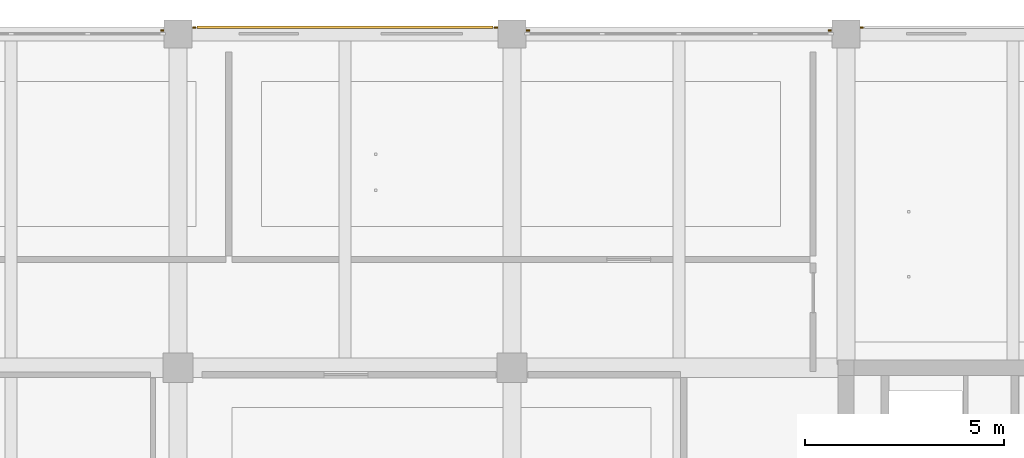
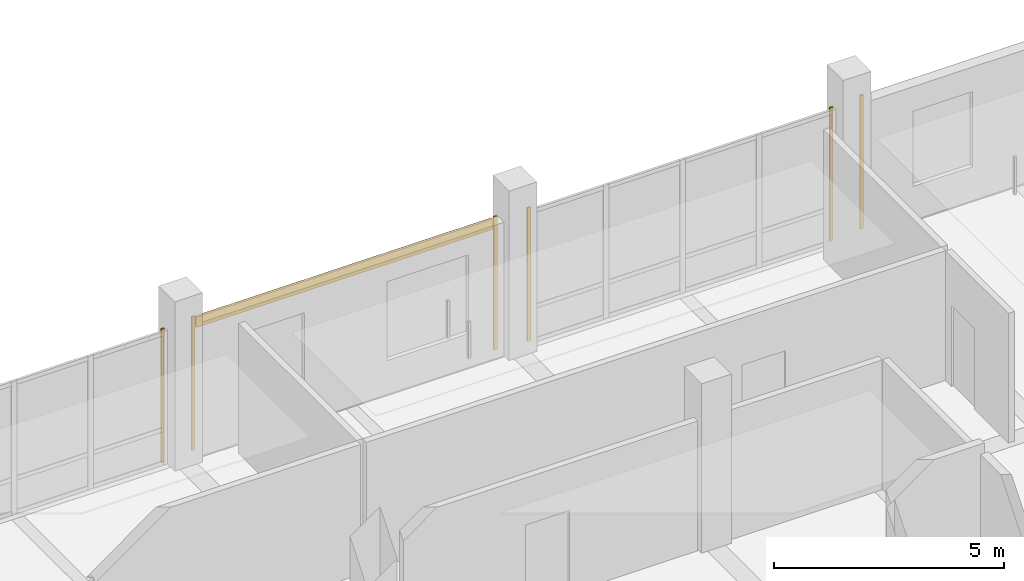
# One storey, part 34 of 35: 7 coverings.
"""IFC4 building model written with IfcOpenShell, lengths in metres."""

from ifc_helpers import new_model, si_unit, direction, frame, origin, origin_2d, place, context, subcontext, project, spatial, rectangle, extrude, material, layer, layer_set, type_object, element, save


model = new_model("IFC4")

# Units and contexts
model_context = context("Model", 3, precision=1e-05, world=origin(), true_north=direction((0.0, 1.0)))
body_context = subcontext(model_context, "Body", "Model", "MODEL_VIEW")
ifc_project = project(units=[si_unit("LENGTHUNIT", "METRE"), si_unit("AREAUNIT", "SQUARE_METRE"), si_unit("VOLUMEUNIT", "CUBIC_METRE"), si_unit("PLANEANGLEUNIT", "RADIAN"), si_unit("MASSUNIT", "GRAM", prefix="KILO")], contexts=[model_context])

# Site, building, storey
site_placement = place(None, origin())
site = spatial("IfcSite", under=ifc_project, at=site_placement, CompositionType="ELEMENT")
building_placement = place(site_placement, origin())
building = spatial("IfcBuilding", under=site, at=building_placement, Name="Telukmera Botanical Conservatory", CompositionType="ELEMENT")
storey_placement = place(building_placement, frame((0.0, 0.0, 46.5)))
storey = spatial("IfcBuildingStorey", under=building, at=storey_placement, Name="L10", CompositionType="ELEMENT", Elevation=46.5)

# Coverings
ifc_material_1 = material(Name="Granite-faced precast concrete C40/50", Category="masonry")
ifc_layer_1 = layer(ifc_material_1, 0.0400390625)
ifc_layer_set_1 = layer_set([ifc_layer_1], Name="Granite-faced precast concrete C40/50")
covering_type_1 = type_object("IfcCoveringType", Name="Granite Precast Column Pier Reveal Casing", PredefinedType="CLADDING", material=ifc_layer_set_1)
for number, where, z_axis, x_axis, name in (
    (1, (75.197998046875, 42.889892578125, 0.0), (0.0, 0.0, 1.0), (1.0, 0.0, 0.0), "Granite Pier Reveal V4:L10:N3 R"),
    (2, (76.001953125, 42.9599609375, 0.0), (0.0, 0.0, 1.0), (1.0, 0.0, 0.0), "Granite Pier Reveal V4:L10:N4 L"),
    (3, (83.597900390625, 42.9599609375, 0.0), (0.0, 0.0, 1.0), (1.0, 0.0, 0.0), "Granite Pier Reveal V4:L10:N4 R"),
    (4, (84.402099609375, 42.889892578125, 0.0), (0.0, 0.0, 1.0), (1.0, 0.0, 0.0), "Granite Pier Reveal V4:L10:N5 L"),
    (5, (91.998046875, 42.889892578125, 0.0), (0.0, 0.0, 1.0), (1.0, 0.0, 0.0), "Granite Pier Reveal V4:L10:N5 R"),
    (6, (92.802001953125, 42.9599609375, 0.0), (0.0, 0.0, 1.0), (1.0, 0.0, 0.0), "Granite Pier Reveal V4:L10:N6 L"),
):
    element("IfcCovering", number, at=place(storey_placement, frame(where, z_axis=z_axis, x_axis=x_axis)), inside=storey, type_object=covering_type_1, Name=name, PredefinedType="CLADDING", context=body_context, shape_type="SweptSolid", body=[
        extrude(rectangle(XDim=0.080078125, YDim=0.0400390625, at=origin_2d()), origin(), (0.0, 0.0, 1.0), 3.550048828125),
    ])
ifc_material_2 = material(Name="Terracotta-faced precast concrete C40/50", Category="masonry")
ifc_layer_2 = layer(ifc_material_2, 0.06005859375)
ifc_layer_set_2 = layer_set([ifc_layer_2], Name="Terracotta-faced precast concrete C40/50")
covering_type_2 = type_object("IfcCoveringType", Name="Polychrome Terracotta Facade Band Cladding", PredefinedType="CLADDING", material=ifc_layer_set_2)
covering_placement = place(storey_placement, frame((79.800048828125, 42.969970703125, 3.22998046875), z_axis=(0.0, 0.0, 1.0), x_axis=(1.0, 0.0, 0.0)))
element("IfcCovering", 7, at=covering_placement, inside=storey, type_object=covering_type_2, Name="Polychrome Terracotta Band V4:L10:N4", PredefinedType="CLADDING", context=body_context, shape_type="SweptSolid", body=[
    extrude(rectangle(XDim=7.4560546875, YDim=0.06005859375, at=origin_2d()), origin(), (0.0, 0.0, 1.0), 0.280029296875),
])

save(model, "model.ifc")
